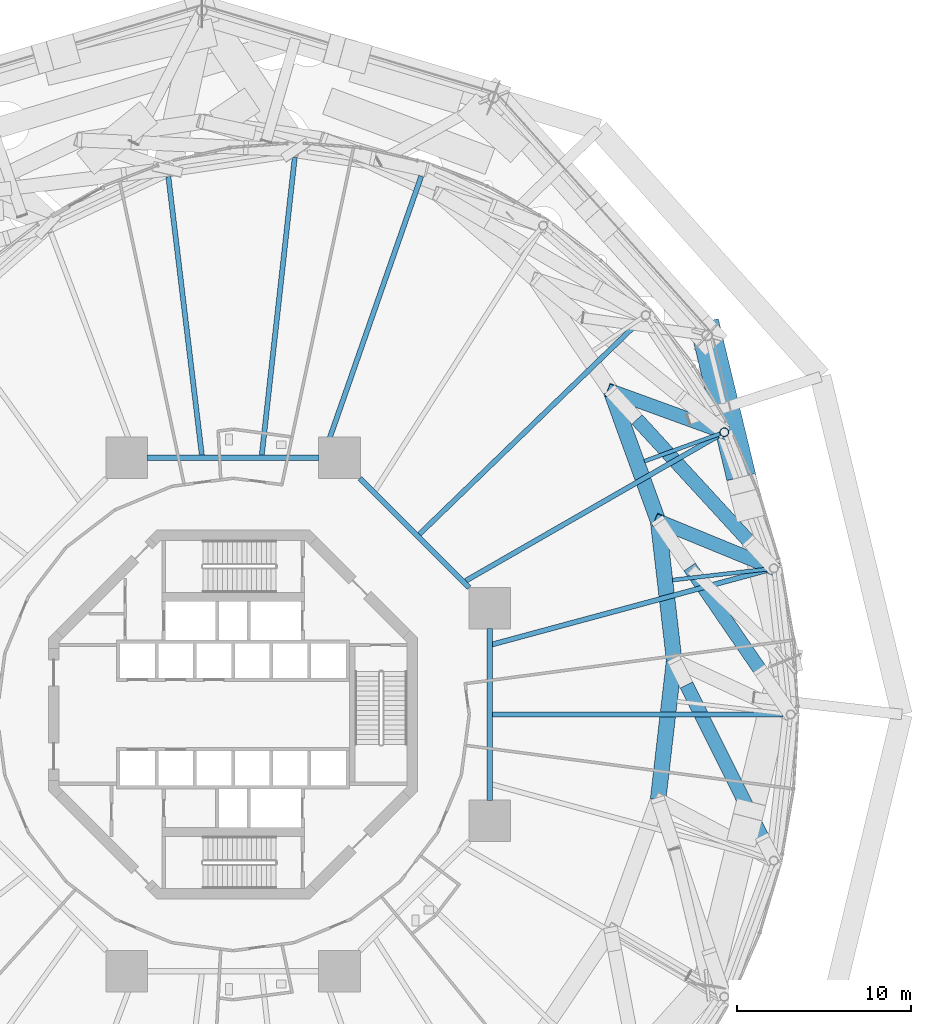
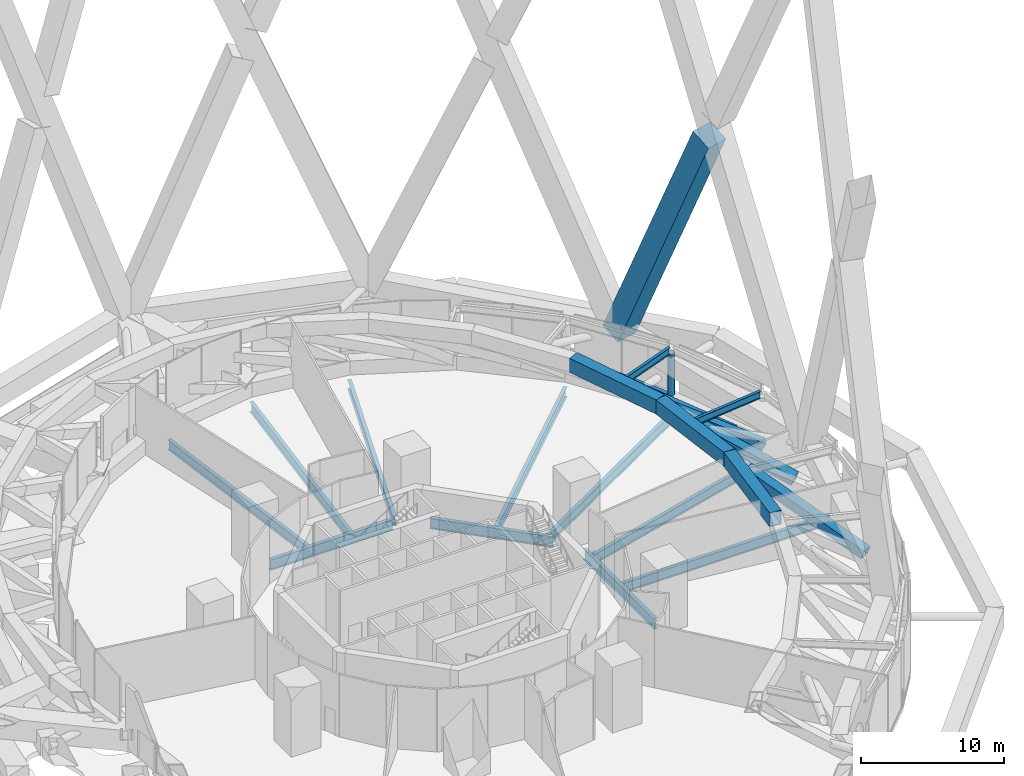
# One storey, part 20 of 51: 20 beams, 2 members.
"""IFC4 building model written with IfcOpenShell, lengths in metres."""

from ifc_helpers import new_model, si_unit, direction, frame, origin, origin_2d, place, context, subcontext, project, spatial, rectangle, hollow_rectangle, hollow_circle, i_section, extrude, material, material_profile, profile_set, type_object, element, save


model = new_model("IFC4")

# Units and contexts
model_context = context("Model", 3, precision=1e-05, world=origin(), true_north=direction((0.0, 1.0)))
body_context = subcontext(model_context, "Body", "Model", "MODEL_VIEW")
ifc_project = project(units=[si_unit("LENGTHUNIT", "METRE"), si_unit("AREAUNIT", "SQUARE_METRE"), si_unit("VOLUMEUNIT", "CUBIC_METRE"), si_unit("PLANEANGLEUNIT", "RADIAN"), si_unit("MASSUNIT", "GRAM", prefix="KILO")], contexts=[model_context])

# Site, building, storey
site_placement = place(None, origin())
site = spatial("IfcSite", under=ifc_project, at=site_placement, CompositionType="ELEMENT")
building_placement = place(site_placement, origin())
building = spatial("IfcBuilding", under=site, at=building_placement, Name="Nagisa Residences", CompositionType="ELEMENT")
storey_placement = place(building_placement, frame((0.0, 0.0, 67.699951171875)))
storey = spatial("IfcBuildingStorey", under=building, at=storey_placement, Name="L16", CompositionType="ELEMENT", Elevation=67.699951171875)

# Beams
ifc_material_1 = material(Name="Steel ASTM A572 Gr 50", Category="steel")
ifc_material_profile_1 = material_profile(ifc_material_1, hollow_rectangle(XDim=0.89990234375, YDim=1.199951171875, WallThickness=0.050048828125, at=origin_2d()), Name="BX 900x1200x50")
ifc_profile_set_1 = profile_set([ifc_material_profile_1], Name="Steel ASTM A572 Gr 50")
beam_type_1 = type_object("IfcBeamType", Name="Belt chord 1 BX 900x1200x50", PredefinedType="BEAM", material=ifc_profile_set_1)
beam_1_placement = place(storey_placement, frame((25.39501953125, 3.11767578125, 4.739990234375), z_axis=(-0.114688326787, 0.993401523906, 0.0), x_axis=(-0.993401523906, -0.114688326787, 0.0)))
element("IfcBeam", 1, at=beam_1_placement, inside=storey, type_object=beam_type_1, Name="beam:L16:bt1t01", PredefinedType="BEAM", context=body_context, shape_type="SweptSolid", body=[
    extrude(hollow_rectangle(XDim=0.89990234375, YDim=1.199951171875, WallThickness=0.050048828125, at=origin_2d()), origin(), (0.0, 0.0, 1.0), 8.08056640625),
])
beam_2_placement = place(storey_placement, frame((24.46826171875, 11.14501953125, 4.739990234375), z_axis=(-0.341378490928, 0.939925915129, 0.0), x_axis=(-0.939925915129, -0.341378490928, 0.0)))
element("IfcBeam", 2, at=beam_2_placement, inside=storey, type_object=beam_type_1, Name="beam:L16:bt1t02", PredefinedType="BEAM", context=body_context, shape_type="SweptSolid", body=[
    extrude(hollow_rectangle(XDim=0.89990234375, YDim=1.199951171875, WallThickness=0.050048828125, at=origin_2d()), origin(), (0.0, 0.0, 1.0), 7.958251953125),
])
beam_3_placement = place(storey_placement, frame((24.46826171875, -4.90966796875, 4.739990234375), z_axis=(0.114688326787, 0.993401523906, 0.0), x_axis=(-0.993401523906, 0.114688326787, 0.0)))
element("IfcBeam", 3, at=beam_3_placement, inside=storey, type_object=beam_type_1, Name="beam:L16:bt1t24", PredefinedType="BEAM", context=body_context, shape_type="SweptSolid", body=[
    extrude(hollow_rectangle(XDim=0.89990234375, YDim=1.199951171875, WallThickness=0.050048828125, at=origin_2d()), origin(), (0.0, 0.0, 1.0), 8.08056640625),
])
ifc_material_2 = material(Name="Steel ASTM A572 Gr 50", Category="steel")
ifc_material_profile_2 = material_profile(ifc_material_2, hollow_rectangle(XDim=0.800048828125, YDim=0.800048828125, WallThickness=0.044921875, at=origin_2d()), Name="BX 800x800x45")
ifc_profile_set_2 = profile_set([ifc_material_profile_2], Name="Steel ASTM A572 Gr 50")
beam_type_2 = type_object("IfcBeamType", Name="Belt diagonal 1 BX 800x800x45", PredefinedType="BEAM", material=ifc_profile_set_2)
beam_4_placement = place(storey_placement, frame((30.348876953125, 2.557373046875, 1.550048828125), z_axis=(-0.540200347246, 0.788870082592, 0.29303170072), x_axis=(-0.825089251673, -0.565002413069, 0.0)))
element("IfcBeam", 4, at=beam_4_placement, inside=storey, type_object=beam_type_2, Name="beam:L16:bt1db01", PredefinedType="BEAM", context=body_context, shape_type="SweptSolid", body=[
    extrude(hollow_rectangle(XDim=0.800048828125, YDim=0.800048828125, WallThickness=0.044921875, at=origin_2d()), origin(), (0.0, 0.0, 1.0), 7.644287109375),
])
beam_5_placement = place(storey_placement, frame((31.12890625, 8.41162109375, 0.60009765625), z_axis=(-0.801996378144, 0.329123651114, 0.498477112535), x_axis=(-0.379654591521, -0.925128310634, 0.0)))
element("IfcBeam", 5, at=beam_5_placement, inside=storey, type_object=beam_type_2, Name="beam:L16:bt1da02", PredefinedType="BEAM", context=body_context, shape_type="SweptSolid", body=[
    extrude(hollow_rectangle(XDim=0.800048828125, YDim=0.800048828125, WallThickness=0.044921875, at=origin_2d()), origin(), (0.0, 0.0, 1.0), 8.30517578125),
])
beam_6_placement = place(storey_placement, frame((29.701904296875, 9.9658203125, 1.22998046875), z_axis=(-0.648033801904, 0.705828133863, 0.286109833872), x_axis=(-0.73662123747, -0.676305517136, 0.0)))
element("IfcBeam", 6, at=beam_6_placement, inside=storey, type_object=beam_type_2, Name="beam:L16:bt1db02", PredefinedType="BEAM", context=body_context, shape_type="SweptSolid", body=[
    extrude(hollow_rectangle(XDim=0.800048828125, YDim=0.800048828125, WallThickness=0.044921875, at=origin_2d()), origin(), (0.0, 0.0, 1.0), 10.06640625),
])
beam_7_placement = place(storey_placement, frame((28.28173828125, 16.25, 0.60009765625), z_axis=(-0.807345840759, 0.293654392281, 0.511820077081), x_axis=(-0.341819228494, -0.939765723482, 0.0)))
element("IfcBeam", 7, at=beam_7_placement, inside=storey, type_object=beam_type_2, Name="beam:L16:bt1da03", PredefinedType="BEAM", context=body_context, shape_type="SweptSolid", body=[
    extrude(hollow_rectangle(XDim=0.800048828125, YDim=0.800048828125, WallThickness=0.044921875, at=origin_2d()), origin(), (0.0, 0.0, 1.0), 8.088623046875),
])
beam_8_placement = place(storey_placement, frame((30.47802734375, -7.102783203125, 1.070068359375), z_axis=(-0.423937094257, 0.852404528731, 0.306078191827), x_axis=(-0.895376911294, -0.445309091218, 0.0)))
element("IfcBeam", 8, at=beam_8_placement, inside=storey, type_object=beam_type_2, Name="beam:L16:bt1db24", PredefinedType="BEAM", context=body_context, shape_type="SweptSolid", body=[
    extrude(hollow_rectangle(XDim=0.800048828125, YDim=0.800048828125, WallThickness=0.044921875, at=origin_2d()), origin(), (0.0, 0.0, 1.0), 10.45458984375),
])

# Members
ifc_material_3 = material(Name="Concrete C80", Category="concrete")
ifc_material_profile_3 = material_profile(ifc_material_3, rectangle(XDim=1.699951171875, YDim=1.699951171875, at=origin_2d()), Name="C80 1700x1700")
ifc_profile_set_3 = profile_set([ifc_material_profile_3], Name="Concrete C80")
member_type_1 = type_object("IfcMemberType", Name="Cage diagonal 2 C80 1700x1700", PredefinedType="BRACE", material=ifc_profile_set_3)
member_1_placement = place(storey_placement, frame((27.294189453125, 21.8251953125, 3.699951171875), z_axis=(0.092828376876, -0.385870468551, 0.91787083729), x_axis=(0.972261675328, 0.233895777405, 0.0)))
element("IfcMember", 9, at=member_1_placement, inside=storey, type_object=member_type_1, Name="mem:L16:cg2d002a", PredefinedType="BRACE", context=body_context, shape_type="SweptSolid", body=[
    extrude(rectangle(XDim=1.699951171875, YDim=1.699951171875, at=origin_2d()), origin(), (0.0, 0.0, 1.0), 23.09423828125),
])
ifc_material_4 = material(Name="Steel ASTM A572 Gr 65", Category="steel")
ifc_material_profile_4 = material_profile(ifc_material_4, hollow_circle(Radius=0.25390625, WallThickness=0.02001953125, at=origin_2d()), Name="CHS 508x20")
ifc_profile_set_4 = profile_set([ifc_material_profile_4], Name="Steel ASTM A572 Gr 65")
member_type_2 = type_object("IfcMemberType", Name="Garden edge post CHS 508x20", PredefinedType="POST", material=ifc_profile_set_4)
member_2_placement = place(storey_placement, frame((28.28173828125, 16.25, 1.199951171875), z_axis=(0.0, 0.0, 1.0), x_axis=(1.0, 0.0, 0.0)))
element("IfcMember", 10, at=member_2_placement, inside=storey, type_object=member_type_2, Name="mem:L16:gp103", PredefinedType="POST", context=body_context, shape_type="SweptSolid", body=[
    extrude(hollow_circle(Radius=0.25390625, WallThickness=0.02001953125, at=origin_2d()), origin(), (0.0, 0.0, 1.0), 3.537109375),
])

# Beams
ifc_material_5 = material(Name="Steel ASTM A572 Gr 50", Category="steel")
ifc_material_profile_5 = material_profile(ifc_material_5, i_section(OverallWidth=0.22802734375, OverallDepth=0.60302734375, WebThickness=0.010498046875, FlangeThickness=0.014892578125, at=origin_2d()), Name="W610x101")
ifc_profile_set_5 = profile_set([ifc_material_profile_5], Name="Steel ASTM A572 Gr 50")
beam_type_3 = type_object("IfcBeamType", Name="Garden radial beam W610x101", PredefinedType="BEAM", material=ifc_profile_set_5)
beam_9_placement = place(storey_placement, frame((30.896484375, 8.384765625, 5.03857421875), z_axis=(-0.993402108346, -0.114683264404, 0.0), x_axis=(0.114683264404, -0.993402108346, 0.0)))
element("IfcBeam", 11, at=beam_9_placement, inside=storey, type_object=beam_type_3, Name="beam:L16:bt1gr02", PredefinedType="BEAM", context=body_context, shape_type="SweptSolid", body=[
    extrude(i_section(OverallWidth=0.22802734375, OverallDepth=0.60302734375, WebThickness=0.010498046875, FlangeThickness=0.014892578125, at=origin_2d()), origin(), (0.0, 0.0, 1.0), 5.63916015625),
])
beam_10_placement = place(storey_placement, frame((28.061767578125, 16.170166015625, 5.03857421875), z_axis=(-0.939927875919, -0.34137309219, 0.0), x_axis=(0.34137309219, -0.939927875919, 0.0)))
element("IfcBeam", 12, at=beam_10_placement, inside=storey, type_object=beam_type_3, Name="beam:L16:bt1gr03", PredefinedType="BEAM", context=body_context, shape_type="SweptSolid", body=[
    extrude(i_section(OverallWidth=0.22802734375, OverallDepth=0.60302734375, WebThickness=0.010498046875, FlangeThickness=0.014892578125, at=origin_2d()), origin(), (0.0, 0.0, 1.0), 4.662841796875),
])
ifc_material_6 = material(Name="Steel ASTM A572 Gr 50", Category="steel")
ifc_material_profile_6 = material_profile(ifc_material_6, i_section(OverallWidth=0.303955078125, OverallDepth=0.903076171875, WebThickness=0.01513671875, FlangeThickness=0.02001953125, at=origin_2d()), Name="W920x201")
ifc_profile_set_6 = profile_set([ifc_material_profile_6], Name="Steel ASTM A572 Gr 50")
beam_type_4 = type_object("IfcBeamType", Name="Inner ring beam W920x201", PredefinedType="BEAM", material=ifc_profile_set_6)
beam_11_placement = place(storey_placement, frame((13.59619140625, 7.308837890625, -0.801513671875), z_axis=(-0.707106781187, 0.707106781187, 0.0), x_axis=(-0.707106781187, -0.707106781187, 0.0)))
element("IfcBeam", 13, at=beam_11_placement, inside=storey, type_object=beam_type_4, Name="beam:L16:ib1", PredefinedType="BEAM", context=body_context, shape_type="SweptSolid", body=[
    extrude(i_section(OverallWidth=0.303955078125, OverallDepth=0.903076171875, WebThickness=0.01513671875, FlangeThickness=0.02001953125, at=origin_2d()), origin(), (0.0, 0.0, 1.0), 8.8916015625),
])
for number, where, z_axis, x_axis, name in (
    (14, (4.94287109375, 14.781982421875, -0.801513671875), (-1.0, 0.0, 0.0), (0.0, -1.0, 0.0), "beam:L16:ib2"),
    (15, (14.781982421875, -4.94287109375, -0.801513671875), (0.0, 1.0, 0.0), (-1.0, 0.0, 0.0), "beam:L16:ib8"),
):
    element("IfcBeam", number, at=place(storey_placement, frame(where, z_axis=z_axis, x_axis=x_axis)), inside=storey, type_object=beam_type_4, Name=name, PredefinedType="BEAM", context=body_context, shape_type="SweptSolid", body=[
        extrude(i_section(OverallWidth=0.303955078125, OverallDepth=0.903076171875, WebThickness=0.01513671875, FlangeThickness=0.02001953125, at=origin_2d()), origin(), (0.0, 0.0, 1.0), 9.8857421875),
    ])
ifc_material_7 = material(Name="Steel ASTM A572 Gr 50", Category="steel")
ifc_material_profile_7 = material_profile(ifc_material_7, i_section(OverallWidth=0.2919921875, OverallDepth=0.8349609375, WebThickness=0.013916015625, FlangeThickness=0.018798828125, at=origin_2d()), Name="W840x176")
ifc_profile_set_7 = profile_set([ifc_material_profile_7], Name="Steel ASTM A572 Gr 50")
beam_type_5 = type_object("IfcBeamType", Name="Radial beam W840x176", PredefinedType="BEAM", material=ifc_profile_set_7)
beam_12_placement = place(storey_placement, frame((31.669921875, 0.0, -0.767333984375), z_axis=(-1.0, 0.0, 0.0), x_axis=(0.0, -1.0, 0.0)))
element("IfcBeam", 16, at=beam_12_placement, inside=storey, type_object=beam_type_5, Name="beam:L16:rb01", PredefinedType="BEAM", context=body_context, shape_type="SweptSolid", body=[
    extrude(i_section(OverallWidth=0.2919921875, OverallDepth=0.8349609375, WebThickness=0.013916015625, FlangeThickness=0.018798828125, at=origin_2d()), origin(), (0.0, 0.0, 1.0), 16.755859375),
])
beam_13_placement = place(storey_placement, frame((30.713623046875, 8.29931640625, -0.767333984375), z_axis=(-0.965377405877, -0.260857172073, 0.0), x_axis=(0.260857172073, -0.965377405877, 0.0)))
element("IfcBeam", 17, at=beam_13_placement, inside=storey, type_object=beam_type_5, Name="beam:L16:rb02", PredefinedType="BEAM", context=body_context, shape_type="SweptSolid", body=[
    extrude(i_section(OverallWidth=0.2919921875, OverallDepth=0.8349609375, WebThickness=0.013916015625, FlangeThickness=0.018798828125, at=origin_2d()), origin(), (0.0, 0.0, 1.0), 16.365478515625),
])
beam_14_placement = place(storey_placement, frame((27.908447265625, 16.035400390625, -0.767333984375), z_axis=(-0.867065727846, -0.498193761096, 0.0), x_axis=(0.498193761096, -0.867065727846, 0.0)))
element("IfcBeam", 18, at=beam_14_placement, inside=storey, type_object=beam_type_5, Name="beam:L16:rb03", PredefinedType="BEAM", context=body_context, shape_type="SweptSolid", body=[
    extrude(i_section(OverallWidth=0.2919921875, OverallDepth=0.8349609375, WebThickness=0.013916015625, FlangeThickness=0.018798828125, at=origin_2d()), origin(), (0.0, 0.0, 1.0), 16.73779296875),
])
beam_15_placement = place(storey_placement, frame((23.443115234375, 22.681640625, -0.767333984375), z_axis=(-0.718684169073, -0.695336655962, 0.0), x_axis=(0.695336655962, -0.718684169073, 0.0)))
element("IfcBeam", 19, at=beam_15_placement, inside=storey, type_object=beam_type_5, Name="beam:L16:rb04", PredefinedType="BEAM", context=body_context, shape_type="SweptSolid", body=[
    extrude(i_section(OverallWidth=0.2919921875, OverallDepth=0.8349609375, WebThickness=0.013916015625, FlangeThickness=0.018798828125, at=origin_2d()), origin(), (0.0, 0.0, 1.0), 17.703369140625),
])
beam_16_placement = place(storey_placement, frame((10.834228515625, 30.986328125, -0.767333984375), z_axis=(-0.330050831769, -0.943963160536, 0.0), x_axis=(0.943963160536, -0.330050831769, 0.0)))
element("IfcBeam", 20, at=beam_16_placement, inside=storey, type_object=beam_type_5, Name="beam:L16:rb06", PredefinedType="BEAM", context=body_context, shape_type="SweptSolid", body=[
    extrude(i_section(OverallWidth=0.2919921875, OverallDepth=0.8349609375, WebThickness=0.013916015625, FlangeThickness=0.018798828125, at=origin_2d()), origin(), (0.0, 0.0, 1.0), 17.025146484375),
])
beam_17_placement = place(storey_placement, frame((3.55224609375, 32.06982421875, -0.767333984375), z_axis=(-0.110086875891, -0.993921968646, 0.0), x_axis=(0.993921968646, -0.110086875891, 0.0)))
element("IfcBeam", 21, at=beam_17_placement, inside=storey, type_object=beam_type_5, Name="beam:L16:rb07", PredefinedType="BEAM", context=body_context, shape_type="SweptSolid", body=[
    extrude(i_section(OverallWidth=0.2919921875, OverallDepth=0.8349609375, WebThickness=0.013916015625, FlangeThickness=0.018798828125, at=origin_2d()), origin(), (0.0, 0.0, 1.0), 17.260498046875),
])
beam_18_placement = place(storey_placement, frame((-3.72412109375, 30.958740234375, -0.767333984375), z_axis=(0.119425803125, -0.992843128368, 0.0), x_axis=(0.992843128368, 0.119425803125, 0.0)))
element("IfcBeam", 22, at=beam_18_placement, inside=storey, type_object=beam_type_5, Name="beam:L16:rb08", PredefinedType="BEAM", context=body_context, shape_type="SweptSolid", body=[
    extrude(i_section(OverallWidth=0.2919921875, OverallDepth=0.8349609375, WebThickness=0.013916015625, FlangeThickness=0.018798828125, at=origin_2d()), origin(), (0.0, 0.0, 1.0), 16.16015625),
])

save(model, "model.ifc")
